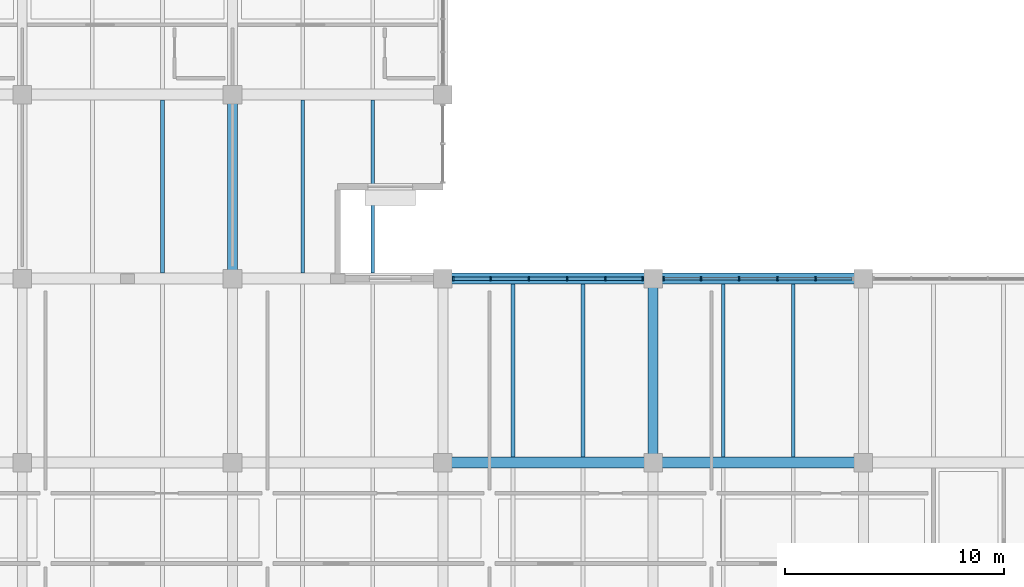
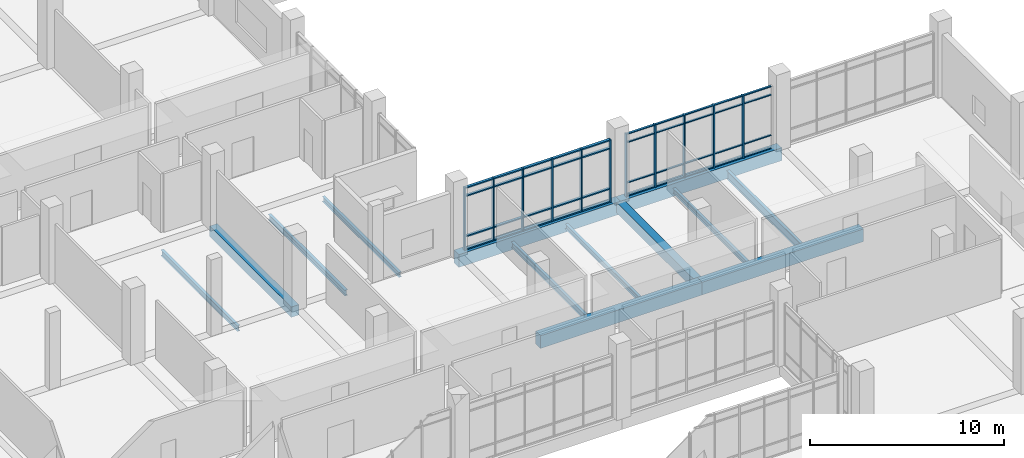
# One storey, part 66 of 152: 51 members, 13 beams, 2 elements without a shape of their own.
"""IFC4 building model written with IfcOpenShell, lengths in metres."""

import ifcopenshell
import ifcopenshell.guid

model = None  # the IFC model being written
_history = None  # IfcOwnerHistory: only IFC2X3 demands one
_inside = {}  # id of a spatial element -> (the spatial element, [elements in it])
_under = {}  # id of a project, library or spatial element -> (it, [spatial elements below it])
_declared = {}  # id of a project -> (the project, [libraries it declares])
_typed = {}  # id of a type object -> (the type object, [elements of that type])
_made_of = {}  # id of a material, layer set ... -> (it, [elements and type objects made of it])


def new_model(schema):
    """Start an empty IFC model of exactly this schema.

    Asked for "IFC4X3", IfcOpenShell would pick the latest addendum, in which some entities
    have other attributes; the version numbers below select the first issue.
    IFC2X3 requires an IfcOwnerHistory on every rooted entity: one is made here for all.
    """
    global model, _history
    if schema == "IFC4X3":
        model = ifcopenshell.file(schema_version=(4, 3, 0, 0))
    else:
        model = ifcopenshell.file(schema=schema)
    _inside.clear()
    _under.clear()
    _declared.clear()
    _typed.clear()
    _made_of.clear()
    _history = None
    if model.schema == "IFC2X3":
        org = make("IfcOrganization", Name="unknown")
        user = make(
            "IfcPersonAndOrganization",
            ThePerson=make("IfcPerson", FamilyName="unknown"),
            TheOrganization=org,
        )
        app = make(
            "IfcApplication",
            ApplicationDeveloper=org,
            Version="unknown",
            ApplicationFullName="unknown",
            ApplicationIdentifier="unknown",
        )
        _history = make(
            "IfcOwnerHistory",
            OwningUser=user,
            OwningApplication=app,
            ChangeAction="ADDED",
            CreationDate=0,
        )
    return model


def make(cls, **values):
    """One entity of the class cls with the attributes given. An attribute that is None is left unset."""
    return model.create_entity(
        cls, **{name: value for name, value in values.items() if value is not None}
    )


def rooted(cls, **values):
    """An entity with a GlobalId (a new one), such as an element, a storey or a relation."""
    return make(cls, GlobalId=ifcopenshell.guid.new(), OwnerHistory=_history, **values)


def si_unit(unit_type, name, prefix=None):
    """IfcSIUnit, for example si_unit("LENGTHUNIT", "METRE", prefix="MILLI")."""
    return make("IfcSIUnit", UnitType=unit_type, Prefix=prefix, Name=name)


def assignment(units):
    """IfcUnitAssignment: the units of a project."""
    return None if units is None else make("IfcUnitAssignment", Units=units)


def point(xyz):
    """IfcCartesianPoint."""
    return None if xyz is None else make("IfcCartesianPoint", Coordinates=xyz)


def direction(xyz):
    """IfcDirection."""
    return None if xyz is None else make("IfcDirection", DirectionRatios=xyz)


def frame(location, z_axis=None, x_axis=None):
    """IfcAxis2Placement3D, a coordinate frame: its origin and axes. An axis left out is left unset."""
    return make(
        "IfcAxis2Placement3D",
        Location=point(location),
        Axis=direction(z_axis),
        RefDirection=direction(x_axis),
    )


def frame_2d(location, x_axis=None):
    """IfcAxis2Placement2D, a coordinate frame in the plane: its origin and x axis."""
    return make(
        "IfcAxis2Placement2D", Location=point(location), RefDirection=direction(x_axis)
    )


def origin():
    """The frame at (0, 0, 0) with its axes left unset."""
    return frame((0.0, 0.0, 0.0))


def origin_2d():
    """The frame at (0, 0) in the plane with its x axis left unset."""
    return frame_2d((0.0, 0.0))


def place(relative_to, where):
    """IfcLocalPlacement: puts the frame where relative to a parent placement (None: the world)."""
    return make(
        "IfcLocalPlacement", PlacementRelTo=relative_to, RelativePlacement=where
    )


def context(
    kind, dimensions, precision=None, world=None, true_north=None, identifier=None
):
    """IfcGeometricRepresentationContext, for example the 3D "Model" context."""
    return make(
        "IfcGeometricRepresentationContext",
        ContextIdentifier=identifier,
        ContextType=kind,
        CoordinateSpaceDimension=dimensions,
        Precision=precision,
        WorldCoordinateSystem=world,
        TrueNorth=true_north,
    )


def subcontext(parent, identifier, kind, view, scale=None):
    """IfcGeometricRepresentationSubContext, for example "Body" below "Model"."""
    return make(
        "IfcGeometricRepresentationSubContext",
        ContextIdentifier=identifier,
        ContextType=kind,
        ParentContext=parent,
        TargetScale=scale,
        TargetView=view,
    )


def project(units=None, contexts=None):
    """IfcProject with its units and contexts."""
    return rooted(
        "IfcProject",
        Name="project",
        RepresentationContexts=contexts,
        UnitsInContext=assignment(units),
    )


def spatial(cls, under=None, at=None, **own):
    """A site, building, storey or space (cls), placed at a placement, below another one or the project."""
    s = rooted(cls, ObjectPlacement=at, **own)
    if under is not None:
        _under.setdefault(under.id(), (under, []))[1].append(s)
    return s


def profile(cls, at=None, kind="AREA", **sizes):
    """A parametric profile (cls). Its sizes go by their IFC names, for example OverallWidth=200.0."""
    return make(cls, ProfileType=kind, Position=at, **sizes)


def rectangle(**sizes):
    """IfcRectangleProfileDef."""
    return profile("IfcRectangleProfileDef", **sizes)


def i_section(**sizes):
    """IfcIShapeProfileDef."""
    return profile("IfcIShapeProfileDef", **sizes)


def extrude(swept, where, along, depth):
    """IfcExtrudedAreaSolid: the profile swept, set in the frame where, extruded along a direction by depth."""
    return make(
        "IfcExtrudedAreaSolid",
        SweptArea=swept,
        Position=where,
        ExtrudedDirection=direction(along),
        Depth=depth,
    )


def shape(context_of_items, identifier, shape_type, items):
    """IfcShapeRepresentation: the items that make up one representation, for example the "Body"."""
    return make(
        "IfcShapeRepresentation",
        ContextOfItems=context_of_items,
        RepresentationIdentifier=identifier,
        RepresentationType=shape_type,
        Items=items,
    )


def material(Name=None, Category=None):
    """IfcMaterial."""
    return make("IfcMaterial", Name=Name, Category=Category)


def material_profile(
    of_material, cross_section, Name=None, Category=None, Priority=None
):
    """IfcMaterialProfile: a cross section and its material."""
    return make(
        "IfcMaterialProfile",
        Name=Name,
        Material=of_material,
        Profile=cross_section,
        Priority=Priority,
        Category=Category,
    )


def profile_set(profiles, Name=None, composite=None):
    """IfcMaterialProfileSet."""
    return make(
        "IfcMaterialProfileSet",
        Name=Name,
        MaterialProfiles=profiles,
        CompositeProfile=composite,
    )


def made_of(thing, what):
    """Note that an element or type object is made of a material, layer set ...; save() writes the relation."""
    if what is not None:
        _made_of.setdefault(what.id(), (what, []))[1].append(thing)
    return thing


def type_object(cls, material=None, **own):
    """A type object (cls), such as IfcWallType, which elements share."""
    return made_of(rooted(cls, **own), material)


def element(
    cls,
    number,
    at=None,
    inside=None,
    cuts=None,
    type_object=None,
    material=None,
    context=None,
    identifier="Body",
    shape_type=None,
    held_by="IfcProductDefinitionShape",
    body=None,
    shapes=None,
    **own,
):
    """One element of the class cls, such as IfcWall. Its Tag is "e" and its number.

    at: its placement. inside: the storey or other place that contains it. cuts: it is an
    opening in that element (IfcRelVoidsElement). A single representation is given by context,
    identifier, shape_type and body (its items); several are given by shapes. held_by: the class
    of the entity that holds the representations. save() writes the other relations.
    """
    e = rooted(cls, Tag="e%d" % number, ObjectPlacement=at, **own)
    if body is not None:
        shapes = [shape(context, identifier, shape_type, body)]
    if shapes is not None:
        e.Representation = make(held_by, Representations=shapes)
    if inside is not None:
        _inside.setdefault(inside.id(), (inside, []))[1].append(e)
    if cuts is not None:
        rooted(
            "IfcRelVoidsElement", RelatingBuildingElement=cuts, RelatedOpeningElement=e
        )
    if type_object is not None:
        _typed.setdefault(type_object.id(), (type_object, []))[1].append(e)
    return made_of(e, material)


def aggregate(whole, parts):
    """IfcRelAggregates: a whole, such as a stair, and the parts it consists of."""
    return rooted("IfcRelAggregates", RelatingObject=whole, RelatedObjects=parts)


def save(model, path):
    """Write the relations noted so far, then the file.

    IfcRelAggregates (storeys below a building ...), IfcRelContainedInSpatialStructure (elements
    in a storey), IfcRelDefinesByType, IfcRelAssociatesMaterial and IfcRelDeclares: one each for
    every whole, place, type object, material and project.
    """
    for whole, parts in _under.values():
        aggregate(whole, parts)
    for where, things in _inside.values():
        rooted(
            "IfcRelContainedInSpatialStructure",
            RelatedElements=things,
            RelatingStructure=where,
        )
    for kind, things in _typed.values():
        rooted("IfcRelDefinesByType", RelatedObjects=things, RelatingType=kind)
    for what, things in _made_of.values():
        rooted("IfcRelAssociatesMaterial", RelatedObjects=things, RelatingMaterial=what)
    for by, libraries in _declared.values():
        rooted("IfcRelDeclares", RelatingContext=by, RelatedDefinitions=libraries)
    model.write(path)


model = new_model("IFC4")

# Units and contexts
model_context = context("Model", 3, precision=1e-05, world=origin(), true_north=direction((0.0, 1.0)))
body_context = subcontext(model_context, "Body", "Model", "MODEL_VIEW")
ifc_project = project(units=[si_unit("LENGTHUNIT", "METRE"), si_unit("AREAUNIT", "SQUARE_METRE"), si_unit("VOLUMEUNIT", "CUBIC_METRE"), si_unit("PLANEANGLEUNIT", "RADIAN"), si_unit("MASSUNIT", "GRAM", prefix="KILO")], contexts=[model_context])

# Site, building, storey
site_placement = place(None, origin())
site = spatial("IfcSite", under=ifc_project, at=site_placement, CompositionType="ELEMENT")
building_placement = place(site_placement, origin())
building = spatial("IfcBuilding", under=site, at=building_placement, Name="Oolite Switchyard Hospital", CompositionType="ELEMENT")
storey_placement = place(building_placement, frame((0.0, 0.0, 5.10009765625)))
storey = spatial("IfcBuildingStorey", under=building, at=storey_placement, Name="L01", CompositionType="ELEMENT", Elevation=5.10009765625)

# Beams
ifc_material_1 = material(Name="Concrete C40/50", Category="concrete")
ifc_material_profile_1 = material_profile(ifc_material_1, rectangle(XDim=0.449951171875, YDim=0.64990234375, at=origin_2d()), Name="RCB450X650")
ifc_profile_set_1 = profile_set([ifc_material_profile_1], Name="Concrete C40/50")
beam_type_1 = type_object("IfcBeamType", Name="BM-RC450X650", PredefinedType="BEAM", material=ifc_profile_set_1)
beam_1_placement = place(storey_placement, frame((163.199951171875, 75.60009765625, -0.3251953125), z_axis=(0.0, 1.0, 0.0), x_axis=(-1.0, 0.0, 0.0)))
element("IfcBeam", 1, at=beam_1_placement, inside=storey, type_object=beam_type_1, Name="L01 Y-Girder 492", PredefinedType="BEAM", context=body_context, shape_type="SweptSolid", body=[
    extrude(rectangle(XDim=0.449951171875, YDim=0.64990234375, at=origin_2d()), origin(), (0.0, 0.0, 1.0), 8.39990234375),
])
beam_2_placement = place(storey_placement, frame((182.39990234375, 67.199951171875, -0.3251953125), z_axis=(0.0, 1.0, 0.0), x_axis=(-1.0, 0.0, 0.0)))
element("IfcBeam", 2, at=beam_2_placement, inside=storey, type_object=beam_type_1, Name="L01 Y-Girder 518", PredefinedType="BEAM", context=body_context, shape_type="SweptSolid", body=[
    extrude(rectangle(XDim=0.449951171875, YDim=0.64990234375, at=origin_2d()), origin(), (0.0, 0.0, 1.0), 8.400146484375),
])
ifc_material_profile_2 = material_profile(ifc_material_1, rectangle(XDim=0.5, YDim=0.800048828125, at=origin_2d()), Name="RCB500X800")
ifc_profile_set_2 = profile_set([ifc_material_profile_2], Name="Concrete C40/50")
beam_type_2 = type_object("IfcBeamType", Name="BM-RC500X800", PredefinedType="BEAM", material=ifc_profile_set_2)
beam_3_placement = place(storey_placement, frame((172.800048828125, 67.199951171875, -0.400146484375), z_axis=(1.0, 0.0, 0.0), x_axis=(0.0, 1.0, 0.0)))
element("IfcBeam", 3, at=beam_3_placement, inside=storey, type_object=beam_type_2, Name="L01 X-Girder 140", PredefinedType="BEAM", context=body_context, shape_type="SweptSolid", body=[
    extrude(rectangle(XDim=0.5, YDim=0.800048828125, at=origin_2d()), origin(), (0.0, 0.0, 1.0), 9.599853515625),
])
beam_4_placement = place(storey_placement, frame((182.39990234375, 67.199951171875, -0.400146484375), z_axis=(1.0, 0.0, 0.0), x_axis=(0.0, 1.0, 0.0)))
element("IfcBeam", 4, at=beam_4_placement, inside=storey, type_object=beam_type_2, Name="L01 X-Girder 141", PredefinedType="BEAM", context=body_context, shape_type="SweptSolid", body=[
    extrude(rectangle(XDim=0.5, YDim=0.800048828125, at=origin_2d()), origin(), (0.0, 0.0, 1.0), 9.60009765625),
])
beam_5_placement = place(storey_placement, frame((172.800048828125, 75.60009765625, -0.400146484375), z_axis=(1.0, 0.0, 0.0), x_axis=(0.0, 1.0, 0.0)))
element("IfcBeam", 5, at=beam_5_placement, inside=storey, type_object=beam_type_2, Name="L01 X-Girder 160", PredefinedType="BEAM", context=body_context, shape_type="SweptSolid", body=[
    extrude(rectangle(XDim=0.5, YDim=0.800048828125, at=origin_2d()), origin(), (0.0, 0.0, 1.0), 9.599853515625),
])
beam_6_placement = place(storey_placement, frame((182.39990234375, 75.60009765625, -0.400146484375), z_axis=(1.0, 0.0, 0.0), x_axis=(0.0, 1.0, 0.0)))
element("IfcBeam", 6, at=beam_6_placement, inside=storey, type_object=beam_type_2, Name="L01 X-Girder 161", PredefinedType="BEAM", context=body_context, shape_type="SweptSolid", body=[
    extrude(rectangle(XDim=0.5, YDim=0.800048828125, at=origin_2d()), origin(), (0.0, 0.0, 1.0), 9.60009765625),
])
ifc_material_2 = material(Name="Steel ASTM A992 Grade 50", Category="steel")
ifc_material_profile_3 = material_profile(ifc_material_2, i_section(OverallWidth=0.1650390625, OverallDepth=0.31005859375, WebThickness=0.006103515625, FlangeThickness=0.010009765625, at=origin_2d()), Name="W12X26")
ifc_profile_set_3 = profile_set([ifc_material_profile_3], Name="Steel ASTM A992 Grade 50")
beam_type_3 = type_object("IfcBeamType", Name="BM-W12X26", PredefinedType="JOIST", material=ifc_profile_set_3)
beam_7_placement = place(storey_placement, frame((169.60009765625, 75.85009765625, -0.43017578125), z_axis=(0.0, 1.0, 0.0), x_axis=(-1.0, 0.0, 0.0)))
element("IfcBeam", 7, at=beam_7_placement, inside=storey, type_object=beam_type_3, Name="L01 Secondary Steel Joist 901", PredefinedType="JOIST", context=body_context, shape_type="SweptSolid", body=[
    extrude(i_section(OverallWidth=0.1650390625, OverallDepth=0.31005859375, WebThickness=0.006103515625, FlangeThickness=0.010009765625, at=origin_2d()), origin(), (0.0, 0.0, 1.0), 7.89990234375),
])
for number, where, z_axis, x_axis, name in (
    (8, (179.199951171875, 67.449951171875, -0.43017578125), (0.0, 1.0, 0.0), (-1.0, 0.0, 0.0), "L01 Secondary Steel Joist 919"),
    (9, (185.60009765625, 67.449951171875, -0.43017578125), (0.0, 1.0, 0.0), (-1.0, 0.0, 0.0), "L01 Secondary Steel Joist 942"),
):
    element("IfcBeam", number, at=place(storey_placement, frame(where, z_axis=z_axis, x_axis=x_axis)), inside=storey, type_object=beam_type_3, Name=name, PredefinedType="JOIST", context=body_context, shape_type="SweptSolid", body=[
        extrude(i_section(OverallWidth=0.1650390625, OverallDepth=0.31005859375, WebThickness=0.006103515625, FlangeThickness=0.010009765625, at=origin_2d()), origin(), (0.0, 0.0, 1.0), 7.900146484375),
    ])
ifc_material_profile_4 = material_profile(ifc_material_2, i_section(OverallWidth=0.1708984375, OverallDepth=0.35107421875, WebThickness=0.007080078125, FlangeThickness=0.010009765625, at=origin_2d()), Name="W14X30")
ifc_profile_set_4 = profile_set([ifc_material_profile_4], Name="Steel ASTM A992 Grade 50")
beam_type_4 = type_object("IfcBeamType", Name="BM-W14X30", PredefinedType="JOIST", material=ifc_profile_set_4)
for number, where, z_axis, x_axis, name in (
    (10, (160.0, 75.85009765625, -0.4501953125), (0.0, 1.0, 0.0), (-1.0, 0.0, 0.0), "L01 Secondary Steel Joist 881"),
    (11, (166.39990234375, 75.85009765625, -0.4501953125), (0.0, 1.0, 0.0), (-1.0, 0.0, 0.0), "L01 Secondary Steel Joist 900"),
):
    element("IfcBeam", number, at=place(storey_placement, frame(where, z_axis=z_axis, x_axis=x_axis)), inside=storey, type_object=beam_type_4, Name=name, PredefinedType="JOIST", context=body_context, shape_type="SweptSolid", body=[
        extrude(i_section(OverallWidth=0.1708984375, OverallDepth=0.35107421875, WebThickness=0.007080078125, FlangeThickness=0.010009765625, at=origin_2d()), origin(), (0.0, 0.0, 1.0), 7.89990234375),
    ])
beam_8_placement = place(storey_placement, frame((176.0, 67.449951171875, -0.4501953125), z_axis=(0.0, 1.0, 0.0), x_axis=(-1.0, 0.0, 0.0)))
element("IfcBeam", 12, at=beam_8_placement, inside=storey, type_object=beam_type_4, Name="L01 Secondary Steel Joist 918", PredefinedType="JOIST", context=body_context, shape_type="SweptSolid", body=[
    extrude(i_section(OverallWidth=0.1708984375, OverallDepth=0.35107421875, WebThickness=0.007080078125, FlangeThickness=0.010009765625, at=origin_2d()), origin(), (0.0, 0.0, 1.0), 7.900146484375),
])
ifc_material_profile_5 = material_profile(ifc_material_2, i_section(OverallWidth=0.166015625, OverallDepth=0.529052734375, WebThickness=0.010009765625, FlangeThickness=0.013916015625, at=origin_2d()), Name="W21X50")
ifc_profile_set_5 = profile_set([ifc_material_profile_5], Name="Steel ASTM A992 Grade 50")
beam_type_5 = type_object("IfcBeamType", Name="BM-W21X50", PredefinedType="JOIST", material=ifc_profile_set_5)
beam_9_placement = place(storey_placement, frame((188.800048828125, 67.449951171875, -0.5400390625), z_axis=(0.0, 1.0, 0.0), x_axis=(-1.0, 0.0, 0.0)))
element("IfcBeam", 13, at=beam_9_placement, inside=storey, type_object=beam_type_5, Name="L01 Secondary Steel Joist 943", PredefinedType="JOIST", context=body_context, shape_type="SweptSolid", body=[
    extrude(i_section(OverallWidth=0.166015625, OverallDepth=0.529052734375, WebThickness=0.010009765625, FlangeThickness=0.013916015625, at=origin_2d()), origin(), (0.0, 0.0, 1.0), 7.900146484375),
])

# Curtain wall, members
ifc_material_3 = material(Name="Thermally broken aluminum frame with laminated impact glazing", Category="aluminium")
curtain_wall_type = type_object("IfcCurtainWallType", Name="CW-UNIT-96X48", PredefinedType="USERDEFINED", material=ifc_material_3)
curtain_wall_1_placement = place(storey_placement, origin())
curtain_wall_1 = element("IfcCurtainWall", 14, at=curtain_wall_1_placement, inside=storey, type_object=curtain_wall_type, Name="L01 Unitised Curtain Wall 135", ObjectType="UNITISED", PredefinedType="USERDEFINED")
ifc_material_4 = material(Name="Aluminium 6063-T6", Category="aluminium")
ifc_material_profile_6 = material_profile(ifc_material_4, rectangle(XDim=0.179931640625, YDim=0.070068359375, at=origin_2d()), Name="CWM70X180")
ifc_profile_set_6 = profile_set([ifc_material_profile_6], Name="Aluminium 6063-T6")
member_type_1 = type_object("IfcMemberType", Name="CW-MUL-220", PredefinedType="MULLION", material=ifc_profile_set_6)
member_1_placement = place(storey_placement, frame((173.27490234375, 75.60009765625, 0.0), z_axis=(0.0, 0.0, 1.0), x_axis=(0.0, 1.0, 0.0)))
member_1 = element("IfcMember", 15, at=member_1_placement, type_object=member_type_1, Name="CW-02 mullion 1", PredefinedType="MULLION", context=body_context, shape_type="SweptSolid", body=[
    extrude(rectangle(XDim=0.179931640625, YDim=0.070068359375, at=origin_2d()), origin(), (0.0, 0.0, 1.0), 3.93994140625),
])
member_2_placement = place(storey_placement, frame((174.98388671875, 75.60009765625, 0.0), z_axis=(0.0, 0.0, 1.0), x_axis=(0.0, 1.0, 0.0)))
member_2 = element("IfcMember", 16, at=member_2_placement, type_object=member_type_1, Name="CW-02 mullion 2", PredefinedType="MULLION", context=body_context, shape_type="SweptSolid", body=[
    extrude(rectangle(XDim=0.179931640625, YDim=0.070068359375, at=origin_2d()), origin(), (0.0, 0.0, 1.0), 3.93994140625),
])
member_3_placement = place(storey_placement, frame((176.72802734375, 75.60009765625, 0.0), z_axis=(0.0, 0.0, 1.0), x_axis=(0.0, 1.0, 0.0)))
member_3 = element("IfcMember", 17, at=member_3_placement, type_object=member_type_1, Name="CW-02 mullion 3", PredefinedType="MULLION", context=body_context, shape_type="SweptSolid", body=[
    extrude(rectangle(XDim=0.179931640625, YDim=0.070068359375, at=origin_2d()), origin(), (0.0, 0.0, 1.0), 3.93994140625),
])
member_4_placement = place(storey_placement, frame((178.471923828125, 75.60009765625, 0.0), z_axis=(0.0, 0.0, 1.0), x_axis=(0.0, 1.0, 0.0)))
member_4 = element("IfcMember", 18, at=member_4_placement, type_object=member_type_1, Name="CW-02 mullion 4", PredefinedType="MULLION", context=body_context, shape_type="SweptSolid", body=[
    extrude(rectangle(XDim=0.179931640625, YDim=0.070068359375, at=origin_2d()), origin(), (0.0, 0.0, 1.0), 3.93994140625),
])
member_5_placement = place(storey_placement, frame((180.216064453125, 75.60009765625, 0.0), z_axis=(0.0, 0.0, 1.0), x_axis=(0.0, 1.0, 0.0)))
member_5 = element("IfcMember", 19, at=member_5_placement, type_object=member_type_1, Name="CW-02 mullion 5", PredefinedType="MULLION", context=body_context, shape_type="SweptSolid", body=[
    extrude(rectangle(XDim=0.179931640625, YDim=0.070068359375, at=origin_2d()), origin(), (0.0, 0.0, 1.0), 3.93994140625),
])
member_6_placement = place(storey_placement, frame((181.925048828125, 75.60009765625, 0.0), z_axis=(0.0, 0.0, 1.0), x_axis=(0.0, 1.0, 0.0)))
member_6 = element("IfcMember", 20, at=member_6_placement, type_object=member_type_1, Name="CW-02 mullion 6", PredefinedType="MULLION", context=body_context, shape_type="SweptSolid", body=[
    extrude(rectangle(XDim=0.179931640625, YDim=0.070068359375, at=origin_2d()), origin(), (0.0, 0.0, 1.0), 3.93994140625),
])

curtain_wall_2_placement = place(storey_placement, origin())
curtain_wall_2 = element("IfcCurtainWall", 21, at=curtain_wall_2_placement, inside=storey, type_object=curtain_wall_type, Name="L01 Unitised Curtain Wall 136", ObjectType="UNITISED", PredefinedType="USERDEFINED")
ifc_material_profile_7 = material_profile(ifc_material_4, rectangle(XDim=0.199951171875, YDim=0.074951171875, at=origin_2d()), Name="CWM75X200")
ifc_profile_set_7 = profile_set([ifc_material_profile_7], Name="Aluminium 6063-T6")
member_type_2 = type_object("IfcMemberType", Name="CW-MUL-260", PredefinedType="MULLION", material=ifc_profile_set_7)
member_7_placement = place(storey_placement, frame((182.87744140625, 75.60009765625, 0.0), z_axis=(0.0, 0.0, 1.0), x_axis=(0.0, 1.0, 0.0)))
member_7 = element("IfcMember", 22, at=member_7_placement, type_object=member_type_2, Name="CW-02 mullion 1", PredefinedType="MULLION", context=body_context, shape_type="SweptSolid", body=[
    extrude(rectangle(XDim=0.199951171875, YDim=0.074951171875, at=origin_2d()), origin(), (0.0, 0.0, 1.0), 3.93994140625),
])
member_8_placement = place(storey_placement, frame((184.583984375, 75.60009765625, 0.0), z_axis=(0.0, 0.0, 1.0), x_axis=(0.0, 1.0, 0.0)))
member_8 = element("IfcMember", 23, at=member_8_placement, type_object=member_type_2, Name="CW-02 mullion 2", PredefinedType="MULLION", context=body_context, shape_type="SweptSolid", body=[
    extrude(rectangle(XDim=0.199951171875, YDim=0.074951171875, at=origin_2d()), origin(), (0.0, 0.0, 1.0), 3.93994140625),
])
member_9_placement = place(storey_placement, frame((186.327880859375, 75.60009765625, 0.0), z_axis=(0.0, 0.0, 1.0), x_axis=(0.0, 1.0, 0.0)))
member_9 = element("IfcMember", 24, at=member_9_placement, type_object=member_type_2, Name="CW-02 mullion 3", PredefinedType="MULLION", context=body_context, shape_type="SweptSolid", body=[
    extrude(rectangle(XDim=0.199951171875, YDim=0.074951171875, at=origin_2d()), origin(), (0.0, 0.0, 1.0), 3.93994140625),
])
member_10_placement = place(storey_placement, frame((188.072021484375, 75.60009765625, 0.0), z_axis=(0.0, 0.0, 1.0), x_axis=(0.0, 1.0, 0.0)))
member_10 = element("IfcMember", 25, at=member_10_placement, type_object=member_type_2, Name="CW-02 mullion 4", PredefinedType="MULLION", context=body_context, shape_type="SweptSolid", body=[
    extrude(rectangle(XDim=0.199951171875, YDim=0.074951171875, at=origin_2d()), origin(), (0.0, 0.0, 1.0), 3.93994140625),
])
member_11_placement = place(storey_placement, frame((189.81591796875, 75.60009765625, 0.0), z_axis=(0.0, 0.0, 1.0), x_axis=(0.0, 1.0, 0.0)))
member_11 = element("IfcMember", 26, at=member_11_placement, type_object=member_type_2, Name="CW-02 mullion 5", PredefinedType="MULLION", context=body_context, shape_type="SweptSolid", body=[
    extrude(rectangle(XDim=0.199951171875, YDim=0.074951171875, at=origin_2d()), origin(), (0.0, 0.0, 1.0), 3.93994140625),
])
ifc_material_profile_8 = material_profile(ifc_material_4, rectangle(XDim=0.1201171875, YDim=0.06005859375, at=origin_2d()), Name="CWT60X120")
ifc_profile_set_8 = profile_set([ifc_material_profile_8], Name="Aluminium 6063-T6")
member_type_3 = type_object("IfcMemberType", Name="CW-TRN-150", PredefinedType="USERDEFINED", material=ifc_profile_set_8)
member_12_placement = place(storey_placement, frame((182.9150390625, 75.60009765625, 0.02978515625), z_axis=(1.0, 0.0, 0.0), x_axis=(0.0, 1.0, 0.0)))
member_12 = element("IfcMember", 27, at=member_12_placement, type_object=member_type_3, Name="CW-02 transom 1.1", ObjectType="TRANSOM", PredefinedType="USERDEFINED", context=body_context, shape_type="SweptSolid", body=[
    extrude(rectangle(XDim=0.1201171875, YDim=0.06005859375, at=origin_2d()), origin(), (0.0, 0.0, 1.0), 1.63134765625),
])
member_13_placement = place(storey_placement, frame((182.9150390625, 75.60009765625, 0.849853515625), z_axis=(1.0, 0.0, 0.0), x_axis=(0.0, 1.0, 0.0)))
member_13 = element("IfcMember", 28, at=member_13_placement, type_object=member_type_3, Name="CW-02 transom 1.2", ObjectType="TRANSOM", PredefinedType="USERDEFINED", context=body_context, shape_type="SweptSolid", body=[
    extrude(rectangle(XDim=0.1201171875, YDim=0.06005859375, at=origin_2d()), origin(), (0.0, 0.0, 1.0), 1.63134765625),
])
member_14_placement = place(storey_placement, frame((182.9150390625, 75.60009765625, 3.389892578125), z_axis=(1.0, 0.0, 0.0), x_axis=(0.0, 1.0, 0.0)))
member_14 = element("IfcMember", 29, at=member_14_placement, type_object=member_type_3, Name="CW-02 transom 1.3", ObjectType="TRANSOM", PredefinedType="USERDEFINED", context=body_context, shape_type="SweptSolid", body=[
    extrude(rectangle(XDim=0.1201171875, YDim=0.06005859375, at=origin_2d()), origin(), (0.0, 0.0, 1.0), 1.63134765625),
])
member_15_placement = place(storey_placement, frame((182.9150390625, 75.60009765625, 3.909912109375), z_axis=(1.0, 0.0, 0.0), x_axis=(0.0, 1.0, 0.0)))
member_15 = element("IfcMember", 30, at=member_15_placement, type_object=member_type_3, Name="CW-02 transom 1.4", ObjectType="TRANSOM", PredefinedType="USERDEFINED", context=body_context, shape_type="SweptSolid", body=[
    extrude(rectangle(XDim=0.1201171875, YDim=0.06005859375, at=origin_2d()), origin(), (0.0, 0.0, 1.0), 1.63134765625),
])
member_16_placement = place(storey_placement, frame((184.62158203125, 75.60009765625, 0.02978515625), z_axis=(1.0, 0.0, 0.0), x_axis=(0.0, 1.0, 0.0)))
member_16 = element("IfcMember", 31, at=member_16_placement, type_object=member_type_3, Name="CW-02 transom 2.1", ObjectType="TRANSOM", PredefinedType="USERDEFINED", context=body_context, shape_type="SweptSolid", body=[
    extrude(rectangle(XDim=0.1201171875, YDim=0.06005859375, at=origin_2d()), origin(), (0.0, 0.0, 1.0), 1.6689453125),
])
member_17_placement = place(storey_placement, frame((184.62158203125, 75.60009765625, 0.849853515625), z_axis=(1.0, 0.0, 0.0), x_axis=(0.0, 1.0, 0.0)))
member_17 = element("IfcMember", 32, at=member_17_placement, type_object=member_type_3, Name="CW-02 transom 2.2", ObjectType="TRANSOM", PredefinedType="USERDEFINED", context=body_context, shape_type="SweptSolid", body=[
    extrude(rectangle(XDim=0.1201171875, YDim=0.06005859375, at=origin_2d()), origin(), (0.0, 0.0, 1.0), 1.6689453125),
])
member_18_placement = place(storey_placement, frame((184.62158203125, 75.60009765625, 3.389892578125), z_axis=(1.0, 0.0, 0.0), x_axis=(0.0, 1.0, 0.0)))
member_18 = element("IfcMember", 33, at=member_18_placement, type_object=member_type_3, Name="CW-02 transom 2.3", ObjectType="TRANSOM", PredefinedType="USERDEFINED", context=body_context, shape_type="SweptSolid", body=[
    extrude(rectangle(XDim=0.1201171875, YDim=0.06005859375, at=origin_2d()), origin(), (0.0, 0.0, 1.0), 1.6689453125),
])
member_19_placement = place(storey_placement, frame((184.62158203125, 75.60009765625, 3.909912109375), z_axis=(1.0, 0.0, 0.0), x_axis=(0.0, 1.0, 0.0)))
member_19 = element("IfcMember", 34, at=member_19_placement, type_object=member_type_3, Name="CW-02 transom 2.4", ObjectType="TRANSOM", PredefinedType="USERDEFINED", context=body_context, shape_type="SweptSolid", body=[
    extrude(rectangle(XDim=0.1201171875, YDim=0.06005859375, at=origin_2d()), origin(), (0.0, 0.0, 1.0), 1.6689453125),
])
member_20_placement = place(storey_placement, frame((186.365478515625, 75.60009765625, 0.02978515625), z_axis=(1.0, 0.0, 0.0), x_axis=(0.0, 1.0, 0.0)))
member_20 = element("IfcMember", 35, at=member_20_placement, type_object=member_type_3, Name="CW-02 transom 3.1", ObjectType="TRANSOM", PredefinedType="USERDEFINED", context=body_context, shape_type="SweptSolid", body=[
    extrude(rectangle(XDim=0.1201171875, YDim=0.06005859375, at=origin_2d()), origin(), (0.0, 0.0, 1.0), 1.6689453125),
])
member_21_placement = place(storey_placement, frame((186.365478515625, 75.60009765625, 0.849853515625), z_axis=(1.0, 0.0, 0.0), x_axis=(0.0, 1.0, 0.0)))
member_21 = element("IfcMember", 36, at=member_21_placement, type_object=member_type_3, Name="CW-02 transom 3.2", ObjectType="TRANSOM", PredefinedType="USERDEFINED", context=body_context, shape_type="SweptSolid", body=[
    extrude(rectangle(XDim=0.1201171875, YDim=0.06005859375, at=origin_2d()), origin(), (0.0, 0.0, 1.0), 1.6689453125),
])
member_22_placement = place(storey_placement, frame((186.365478515625, 75.60009765625, 3.389892578125), z_axis=(1.0, 0.0, 0.0), x_axis=(0.0, 1.0, 0.0)))
member_22 = element("IfcMember", 37, at=member_22_placement, type_object=member_type_3, Name="CW-02 transom 3.3", ObjectType="TRANSOM", PredefinedType="USERDEFINED", context=body_context, shape_type="SweptSolid", body=[
    extrude(rectangle(XDim=0.1201171875, YDim=0.06005859375, at=origin_2d()), origin(), (0.0, 0.0, 1.0), 1.6689453125),
])
member_23_placement = place(storey_placement, frame((186.365478515625, 75.60009765625, 3.909912109375), z_axis=(1.0, 0.0, 0.0), x_axis=(0.0, 1.0, 0.0)))
member_23 = element("IfcMember", 38, at=member_23_placement, type_object=member_type_3, Name="CW-02 transom 3.4", ObjectType="TRANSOM", PredefinedType="USERDEFINED", context=body_context, shape_type="SweptSolid", body=[
    extrude(rectangle(XDim=0.1201171875, YDim=0.06005859375, at=origin_2d()), origin(), (0.0, 0.0, 1.0), 1.6689453125),
])
member_24_placement = place(storey_placement, frame((188.109619140625, 75.60009765625, 0.02978515625), z_axis=(1.0, 0.0, 0.0), x_axis=(0.0, 1.0, 0.0)))
member_24 = element("IfcMember", 39, at=member_24_placement, type_object=member_type_3, Name="CW-02 transom 4.1", ObjectType="TRANSOM", PredefinedType="USERDEFINED", context=body_context, shape_type="SweptSolid", body=[
    extrude(rectangle(XDim=0.1201171875, YDim=0.06005859375, at=origin_2d()), origin(), (0.0, 0.0, 1.0), 1.6689453125),
])
member_25_placement = place(storey_placement, frame((188.109619140625, 75.60009765625, 0.849853515625), z_axis=(1.0, 0.0, 0.0), x_axis=(0.0, 1.0, 0.0)))
member_25 = element("IfcMember", 40, at=member_25_placement, type_object=member_type_3, Name="CW-02 transom 4.2", ObjectType="TRANSOM", PredefinedType="USERDEFINED", context=body_context, shape_type="SweptSolid", body=[
    extrude(rectangle(XDim=0.1201171875, YDim=0.06005859375, at=origin_2d()), origin(), (0.0, 0.0, 1.0), 1.6689453125),
])
member_26_placement = place(storey_placement, frame((188.109619140625, 75.60009765625, 3.389892578125), z_axis=(1.0, 0.0, 0.0), x_axis=(0.0, 1.0, 0.0)))
member_26 = element("IfcMember", 41, at=member_26_placement, type_object=member_type_3, Name="CW-02 transom 4.3", ObjectType="TRANSOM", PredefinedType="USERDEFINED", context=body_context, shape_type="SweptSolid", body=[
    extrude(rectangle(XDim=0.1201171875, YDim=0.06005859375, at=origin_2d()), origin(), (0.0, 0.0, 1.0), 1.6689453125),
])
member_27_placement = place(storey_placement, frame((188.109619140625, 75.60009765625, 3.909912109375), z_axis=(1.0, 0.0, 0.0), x_axis=(0.0, 1.0, 0.0)))
member_27 = element("IfcMember", 42, at=member_27_placement, type_object=member_type_3, Name="CW-02 transom 4.4", ObjectType="TRANSOM", PredefinedType="USERDEFINED", context=body_context, shape_type="SweptSolid", body=[
    extrude(rectangle(XDim=0.1201171875, YDim=0.06005859375, at=origin_2d()), origin(), (0.0, 0.0, 1.0), 1.6689453125),
])
member_28_placement = place(storey_placement, frame((189.853515625, 75.60009765625, 0.02978515625), z_axis=(1.0, 0.0, 0.0), x_axis=(0.0, 1.0, 0.0)))
member_28 = element("IfcMember", 43, at=member_28_placement, type_object=member_type_3, Name="CW-02 transom 5.1", ObjectType="TRANSOM", PredefinedType="USERDEFINED", context=body_context, shape_type="SweptSolid", body=[
    extrude(rectangle(XDim=0.1201171875, YDim=0.06005859375, at=origin_2d()), origin(), (0.0, 0.0, 1.0), 1.631591796875),
])
member_29_placement = place(storey_placement, frame((189.853515625, 75.60009765625, 0.849853515625), z_axis=(1.0, 0.0, 0.0), x_axis=(0.0, 1.0, 0.0)))
member_29 = element("IfcMember", 44, at=member_29_placement, type_object=member_type_3, Name="CW-02 transom 5.2", ObjectType="TRANSOM", PredefinedType="USERDEFINED", context=body_context, shape_type="SweptSolid", body=[
    extrude(rectangle(XDim=0.1201171875, YDim=0.06005859375, at=origin_2d()), origin(), (0.0, 0.0, 1.0), 1.631591796875),
])
member_30_placement = place(storey_placement, frame((189.853515625, 75.60009765625, 3.389892578125), z_axis=(1.0, 0.0, 0.0), x_axis=(0.0, 1.0, 0.0)))
member_30 = element("IfcMember", 45, at=member_30_placement, type_object=member_type_3, Name="CW-02 transom 5.3", ObjectType="TRANSOM", PredefinedType="USERDEFINED", context=body_context, shape_type="SweptSolid", body=[
    extrude(rectangle(XDim=0.1201171875, YDim=0.06005859375, at=origin_2d()), origin(), (0.0, 0.0, 1.0), 1.631591796875),
])
member_31_placement = place(storey_placement, frame((189.853515625, 75.60009765625, 3.909912109375), z_axis=(1.0, 0.0, 0.0), x_axis=(0.0, 1.0, 0.0)))
member_31 = element("IfcMember", 46, at=member_31_placement, type_object=member_type_3, Name="CW-02 transom 5.4", ObjectType="TRANSOM", PredefinedType="USERDEFINED", context=body_context, shape_type="SweptSolid", body=[
    extrude(rectangle(XDim=0.1201171875, YDim=0.06005859375, at=origin_2d()), origin(), (0.0, 0.0, 1.0), 1.631591796875),
])
aggregate(curtain_wall_2, [member_7, member_8, member_9, member_10, member_11, member_12, member_13, member_14, member_15, member_16, member_17, member_18, member_19, member_20, member_21, member_22, member_23, member_24, member_25, member_26, member_27, member_28, member_29, member_30, member_31])

# Member
ifc_material_profile_9 = material_profile(ifc_material_4, rectangle(XDim=0.159912109375, YDim=0.074951171875, at=origin_2d()), Name="CWT75X160")
ifc_profile_set_9 = profile_set([ifc_material_profile_9], Name="Aluminium 6063-T6")
member_type_4 = type_object("IfcMemberType", Name="CW-TRN-180", PredefinedType="USERDEFINED", material=ifc_profile_set_9)
member_32_placement = place(storey_placement, frame((173.31005859375, 75.60009765625, 0.037353515625), z_axis=(1.0, 0.0, 0.0), x_axis=(0.0, 1.0, 0.0)))
member_32 = element("IfcMember", 47, at=member_32_placement, type_object=member_type_4, Name="CW-02 transom 1.1", ObjectType="TRANSOM", PredefinedType="USERDEFINED", context=body_context, shape_type="SweptSolid", body=[
    extrude(rectangle(XDim=0.159912109375, YDim=0.074951171875, at=origin_2d()), origin(), (0.0, 0.0, 1.0), 1.638916015625),
])

member_33_placement = place(storey_placement, frame((173.31005859375, 75.60009765625, 0.849853515625), z_axis=(1.0, 0.0, 0.0), x_axis=(0.0, 1.0, 0.0)))
member_33 = element("IfcMember", 48, at=member_33_placement, type_object=member_type_4, Name="CW-02 transom 1.2", ObjectType="TRANSOM", PredefinedType="USERDEFINED", context=body_context, shape_type="SweptSolid", body=[
    extrude(rectangle(XDim=0.159912109375, YDim=0.074951171875, at=origin_2d()), origin(), (0.0, 0.0, 1.0), 1.638916015625),
])

member_34_placement = place(storey_placement, frame((173.31005859375, 75.60009765625, 3.389892578125), z_axis=(1.0, 0.0, 0.0), x_axis=(0.0, 1.0, 0.0)))
member_34 = element("IfcMember", 49, at=member_34_placement, type_object=member_type_4, Name="CW-02 transom 1.3", ObjectType="TRANSOM", PredefinedType="USERDEFINED", context=body_context, shape_type="SweptSolid", body=[
    extrude(rectangle(XDim=0.159912109375, YDim=0.074951171875, at=origin_2d()), origin(), (0.0, 0.0, 1.0), 1.638916015625),
])

member_35_placement = place(storey_placement, frame((173.31005859375, 75.60009765625, 3.90234375), z_axis=(1.0, 0.0, 0.0), x_axis=(0.0, 1.0, 0.0)))
member_35 = element("IfcMember", 50, at=member_35_placement, type_object=member_type_4, Name="CW-02 transom 1.4", ObjectType="TRANSOM", PredefinedType="USERDEFINED", context=body_context, shape_type="SweptSolid", body=[
    extrude(rectangle(XDim=0.159912109375, YDim=0.074951171875, at=origin_2d()), origin(), (0.0, 0.0, 1.0), 1.638916015625),
])

member_36_placement = place(storey_placement, frame((175.01904296875, 75.60009765625, 0.037353515625), z_axis=(1.0, 0.0, 0.0), x_axis=(0.0, 1.0, 0.0)))
member_36 = element("IfcMember", 51, at=member_36_placement, type_object=member_type_4, Name="CW-02 transom 2.1", ObjectType="TRANSOM", PredefinedType="USERDEFINED", context=body_context, shape_type="SweptSolid", body=[
    extrude(rectangle(XDim=0.159912109375, YDim=0.074951171875, at=origin_2d()), origin(), (0.0, 0.0, 1.0), 1.674072265625),
])

member_37_placement = place(storey_placement, frame((175.01904296875, 75.60009765625, 0.849853515625), z_axis=(1.0, 0.0, 0.0), x_axis=(0.0, 1.0, 0.0)))
member_37 = element("IfcMember", 52, at=member_37_placement, type_object=member_type_4, Name="CW-02 transom 2.2", ObjectType="TRANSOM", PredefinedType="USERDEFINED", context=body_context, shape_type="SweptSolid", body=[
    extrude(rectangle(XDim=0.159912109375, YDim=0.074951171875, at=origin_2d()), origin(), (0.0, 0.0, 1.0), 1.674072265625),
])

member_38_placement = place(storey_placement, frame((175.01904296875, 75.60009765625, 3.389892578125), z_axis=(1.0, 0.0, 0.0), x_axis=(0.0, 1.0, 0.0)))
member_38 = element("IfcMember", 53, at=member_38_placement, type_object=member_type_4, Name="CW-02 transom 2.3", ObjectType="TRANSOM", PredefinedType="USERDEFINED", context=body_context, shape_type="SweptSolid", body=[
    extrude(rectangle(XDim=0.159912109375, YDim=0.074951171875, at=origin_2d()), origin(), (0.0, 0.0, 1.0), 1.674072265625),
])

member_39_placement = place(storey_placement, frame((175.01904296875, 75.60009765625, 3.90234375), z_axis=(1.0, 0.0, 0.0), x_axis=(0.0, 1.0, 0.0)))
member_39 = element("IfcMember", 54, at=member_39_placement, type_object=member_type_4, Name="CW-02 transom 2.4", ObjectType="TRANSOM", PredefinedType="USERDEFINED", context=body_context, shape_type="SweptSolid", body=[
    extrude(rectangle(XDim=0.159912109375, YDim=0.074951171875, at=origin_2d()), origin(), (0.0, 0.0, 1.0), 1.674072265625),
])

member_40_placement = place(storey_placement, frame((176.762939453125, 75.60009765625, 0.037353515625), z_axis=(1.0, 0.0, 0.0), x_axis=(0.0, 1.0, 0.0)))
member_40 = element("IfcMember", 55, at=member_40_placement, type_object=member_type_4, Name="CW-02 transom 3.1", ObjectType="TRANSOM", PredefinedType="USERDEFINED", context=body_context, shape_type="SweptSolid", body=[
    extrude(rectangle(XDim=0.159912109375, YDim=0.074951171875, at=origin_2d()), origin(), (0.0, 0.0, 1.0), 1.674072265625),
])

member_41_placement = place(storey_placement, frame((176.762939453125, 75.60009765625, 0.849853515625), z_axis=(1.0, 0.0, 0.0), x_axis=(0.0, 1.0, 0.0)))
member_41 = element("IfcMember", 56, at=member_41_placement, type_object=member_type_4, Name="CW-02 transom 3.2", ObjectType="TRANSOM", PredefinedType="USERDEFINED", context=body_context, shape_type="SweptSolid", body=[
    extrude(rectangle(XDim=0.159912109375, YDim=0.074951171875, at=origin_2d()), origin(), (0.0, 0.0, 1.0), 1.674072265625),
])

member_42_placement = place(storey_placement, frame((176.762939453125, 75.60009765625, 3.389892578125), z_axis=(1.0, 0.0, 0.0), x_axis=(0.0, 1.0, 0.0)))
member_42 = element("IfcMember", 57, at=member_42_placement, type_object=member_type_4, Name="CW-02 transom 3.3", ObjectType="TRANSOM", PredefinedType="USERDEFINED", context=body_context, shape_type="SweptSolid", body=[
    extrude(rectangle(XDim=0.159912109375, YDim=0.074951171875, at=origin_2d()), origin(), (0.0, 0.0, 1.0), 1.674072265625),
])

member_43_placement = place(storey_placement, frame((176.762939453125, 75.60009765625, 3.90234375), z_axis=(1.0, 0.0, 0.0), x_axis=(0.0, 1.0, 0.0)))
member_43 = element("IfcMember", 58, at=member_43_placement, type_object=member_type_4, Name="CW-02 transom 3.4", ObjectType="TRANSOM", PredefinedType="USERDEFINED", context=body_context, shape_type="SweptSolid", body=[
    extrude(rectangle(XDim=0.159912109375, YDim=0.074951171875, at=origin_2d()), origin(), (0.0, 0.0, 1.0), 1.674072265625),
])

member_44_placement = place(storey_placement, frame((178.507080078125, 75.60009765625, 0.037353515625), z_axis=(1.0, 0.0, 0.0), x_axis=(0.0, 1.0, 0.0)))
member_44 = element("IfcMember", 59, at=member_44_placement, type_object=member_type_4, Name="CW-02 transom 4.1", ObjectType="TRANSOM", PredefinedType="USERDEFINED", context=body_context, shape_type="SweptSolid", body=[
    extrude(rectangle(XDim=0.159912109375, YDim=0.074951171875, at=origin_2d()), origin(), (0.0, 0.0, 1.0), 1.673828125),
])

member_45_placement = place(storey_placement, frame((178.507080078125, 75.60009765625, 0.849853515625), z_axis=(1.0, 0.0, 0.0), x_axis=(0.0, 1.0, 0.0)))
member_45 = element("IfcMember", 60, at=member_45_placement, type_object=member_type_4, Name="CW-02 transom 4.2", ObjectType="TRANSOM", PredefinedType="USERDEFINED", context=body_context, shape_type="SweptSolid", body=[
    extrude(rectangle(XDim=0.159912109375, YDim=0.074951171875, at=origin_2d()), origin(), (0.0, 0.0, 1.0), 1.673828125),
])

member_46_placement = place(storey_placement, frame((178.507080078125, 75.60009765625, 3.389892578125), z_axis=(1.0, 0.0, 0.0), x_axis=(0.0, 1.0, 0.0)))
member_46 = element("IfcMember", 61, at=member_46_placement, type_object=member_type_4, Name="CW-02 transom 4.3", ObjectType="TRANSOM", PredefinedType="USERDEFINED", context=body_context, shape_type="SweptSolid", body=[
    extrude(rectangle(XDim=0.159912109375, YDim=0.074951171875, at=origin_2d()), origin(), (0.0, 0.0, 1.0), 1.673828125),
])

member_47_placement = place(storey_placement, frame((178.507080078125, 75.60009765625, 3.90234375), z_axis=(1.0, 0.0, 0.0), x_axis=(0.0, 1.0, 0.0)))
member_47 = element("IfcMember", 62, at=member_47_placement, type_object=member_type_4, Name="CW-02 transom 4.4", ObjectType="TRANSOM", PredefinedType="USERDEFINED", context=body_context, shape_type="SweptSolid", body=[
    extrude(rectangle(XDim=0.159912109375, YDim=0.074951171875, at=origin_2d()), origin(), (0.0, 0.0, 1.0), 1.673828125),
])

member_48_placement = place(storey_placement, frame((180.2509765625, 75.60009765625, 0.037353515625), z_axis=(1.0, 0.0, 0.0), x_axis=(0.0, 1.0, 0.0)))
member_48 = element("IfcMember", 63, at=member_48_placement, type_object=member_type_4, Name="CW-02 transom 5.1", ObjectType="TRANSOM", PredefinedType="USERDEFINED", context=body_context, shape_type="SweptSolid", body=[
    extrude(rectangle(XDim=0.159912109375, YDim=0.074951171875, at=origin_2d()), origin(), (0.0, 0.0, 1.0), 1.638916015625),
])

member_49_placement = place(storey_placement, frame((180.2509765625, 75.60009765625, 0.849853515625), z_axis=(1.0, 0.0, 0.0), x_axis=(0.0, 1.0, 0.0)))
member_49 = element("IfcMember", 64, at=member_49_placement, type_object=member_type_4, Name="CW-02 transom 5.2", ObjectType="TRANSOM", PredefinedType="USERDEFINED", context=body_context, shape_type="SweptSolid", body=[
    extrude(rectangle(XDim=0.159912109375, YDim=0.074951171875, at=origin_2d()), origin(), (0.0, 0.0, 1.0), 1.638916015625),
])

member_50_placement = place(storey_placement, frame((180.2509765625, 75.60009765625, 3.389892578125), z_axis=(1.0, 0.0, 0.0), x_axis=(0.0, 1.0, 0.0)))
member_50 = element("IfcMember", 65, at=member_50_placement, type_object=member_type_4, Name="CW-02 transom 5.3", ObjectType="TRANSOM", PredefinedType="USERDEFINED", context=body_context, shape_type="SweptSolid", body=[
    extrude(rectangle(XDim=0.159912109375, YDim=0.074951171875, at=origin_2d()), origin(), (0.0, 0.0, 1.0), 1.638916015625),
])

member_51_placement = place(storey_placement, frame((180.2509765625, 75.60009765625, 3.90234375), z_axis=(1.0, 0.0, 0.0), x_axis=(0.0, 1.0, 0.0)))
member_51 = element("IfcMember", 66, at=member_51_placement, type_object=member_type_4, Name="CW-02 transom 5.4", ObjectType="TRANSOM", PredefinedType="USERDEFINED", context=body_context, shape_type="SweptSolid", body=[
    extrude(rectangle(XDim=0.159912109375, YDim=0.074951171875, at=origin_2d()), origin(), (0.0, 0.0, 1.0), 1.638916015625),
])

aggregate(curtain_wall_1, [member_1, member_2, member_3, member_4, member_5, member_6, member_32, member_33, member_34, member_35, member_36, member_37, member_38, member_39, member_40, member_41, member_42, member_43, member_44, member_45, member_46, member_47, member_48, member_49, member_50, member_51])

save(model, "model.ifc")
